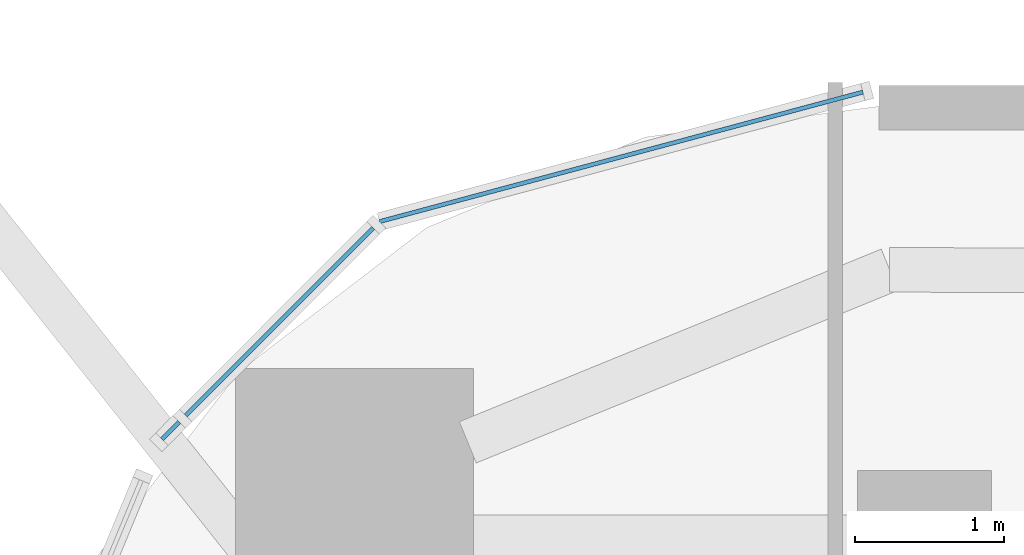
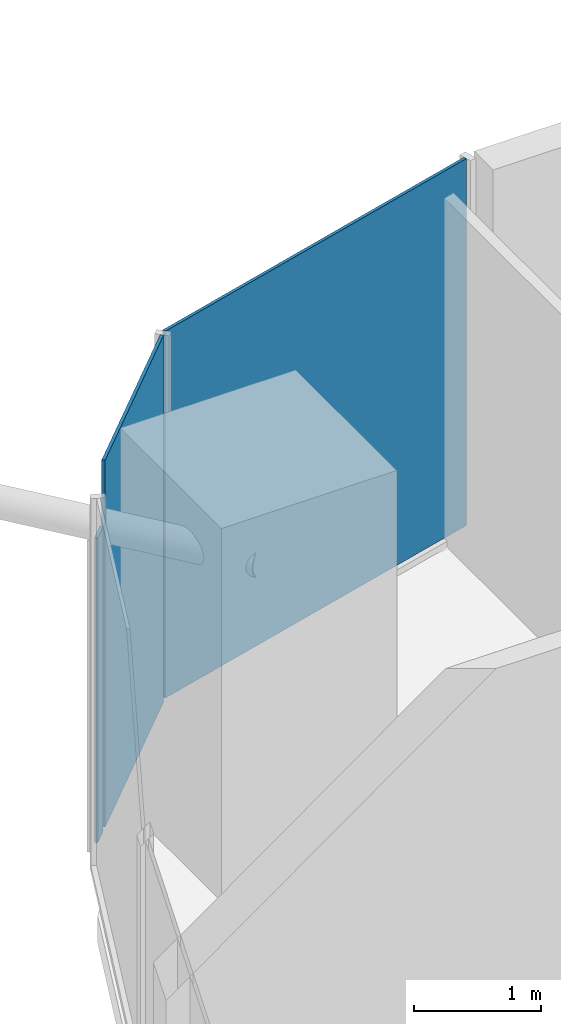
# One storey, part 22 of 33: 3 plates, 3 elements without a shape of their own.
"""IFC4 building model written with IfcOpenShell, lengths in metres."""

from ifc_helpers import new_model, si_unit, direction, frame, origin, origin_2d, place, context, subcontext, project, spatial, rectangle, extrude, material, layer, layer_set, type_object, element, aggregate, save


model = new_model("IFC4")

# Units and contexts
model_context = context("Model", 3, precision=1e-05, world=origin(), true_north=direction((0.0, 1.0)))
body_context = subcontext(model_context, "Body", "Model", "MODEL_VIEW")
ifc_project = project(units=[si_unit("LENGTHUNIT", "METRE"), si_unit("AREAUNIT", "SQUARE_METRE"), si_unit("VOLUMEUNIT", "CUBIC_METRE"), si_unit("PLANEANGLEUNIT", "RADIAN"), si_unit("MASSUNIT", "GRAM", prefix="KILO")], contexts=[model_context])

# Site, building, storey
site_placement = place(None, origin())
site = spatial("IfcSite", under=ifc_project, at=site_placement, CompositionType="ELEMENT")
building_placement = place(site_placement, origin())
building = spatial("IfcBuilding", under=site, at=building_placement, Name="Marenta Gate Hotel Tower", CompositionType="ELEMENT")
storey_placement = place(building_placement, frame((0.0, 0.0, 122.89990234375)))
storey = spatial("IfcBuildingStorey", under=building, at=storey_placement, Name="L27", CompositionType="ELEMENT", Elevation=122.89990234375)

# Curtain wall, plate
ifc_material_1 = material(Name="Tinted insulated glass in bronze anodised frame", Category="glass")
ifc_layer_1 = layer(ifc_material_1, 0.1201171875)
ifc_layer_set_1 = layer_set([ifc_layer_1], Name="Tinted insulated glass in bronze anodised frame")
curtain_wall_type = type_object("IfcCurtainWallType", Name="Tower unitised curtain wall CW1", PredefinedType="NOTDEFINED", material=ifc_layer_set_1)
curtain_wall_1_placement = place(storey_placement, origin())
curtain_wall_1 = element("IfcCurtainWall", 1, at=curtain_wall_1_placement, inside=storey, type_object=curtain_wall_type, Name="CW1 run G00", PredefinedType="NOTDEFINED")
ifc_material_2 = material(Name="Tinted insulated glass", Category="glass")
ifc_layer_2 = layer(ifc_material_2, 0.028076171875)
ifc_layer_set_2 = layer_set([ifc_layer_2], Name="Tinted insulated glass")
plate_type = type_object("IfcPlateType", Name="Glass panel CW1 28 mm tinted insulated unit", PredefinedType="CURTAIN_PANEL", material=ifc_layer_set_2)
plate_1_placement = place(storey_placement, frame((-23.04052734375, 27.759765625, 0.06005859375), z_axis=(0.0, 0.0, 1.0), x_axis=(-0.96593059835, -0.258801234873, 0.0)))
plate_1 = element("IfcPlate", 2, at=plate_1_placement, type_object=plate_type, Name="CW1 panel 1.1", PredefinedType="CURTAIN_PANEL", context=body_context, shape_type="SweptSolid", body=[
    extrude(rectangle(XDim=3.366943359375, YDim=0.028076171875, at=origin_2d()), origin(), (0.0, 0.0, 1.0), 3.5400390625),
])
aggregate(curtain_wall_1, [plate_1])

curtain_wall_2_placement = place(storey_placement, origin())
curtain_wall_2 = element("IfcCurtainWall", 3, at=curtain_wall_2_placement, inside=storey, type_object=curtain_wall_type, Name="CW1 run G01", PredefinedType="NOTDEFINED")
plate_2_placement = place(storey_placement, frame((-25.340087890625, 26.650634765625, 0.06005859375), z_axis=(0.0, 0.0, 1.0), x_axis=(-0.707106781187, -0.707106781187, 0.0)))
plate_2 = element("IfcPlate", 4, at=plate_2_placement, type_object=plate_type, Name="CW1 panel 1.1", PredefinedType="CURTAIN_PANEL", context=body_context, shape_type="SweptSolid", body=[
    extrude(rectangle(XDim=1.784912109375, YDim=0.028076171875, at=origin_2d()), origin(), (0.0, 0.0, 1.0), 3.5400390625),
])
aggregate(curtain_wall_2, [plate_2])

curtain_wall_3_placement = place(storey_placement, origin())
curtain_wall_3 = element("IfcCurtainWall", 5, at=curtain_wall_3_placement, inside=storey, type_object=curtain_wall_type, Name="CW1 run G02", PredefinedType="NOTDEFINED")
plate_3_placement = place(storey_placement, frame((-26.07177734375, 25.9189453125, 0.060302734375), z_axis=(0.0, 0.0, 1.0), x_axis=(-0.707106781187, -0.707106781187, 0.0)))
plate_3 = element("IfcPlate", 6, at=plate_3_placement, type_object=plate_type, Name="CW1 panel 1.1", PredefinedType="CURTAIN_PANEL", context=body_context, shape_type="SweptSolid", body=[
    extrude(rectangle(XDim=0.164306640625, YDim=0.028076171875, at=origin_2d()), origin(), (0.0, 0.0, 1.0), 2.9404296875),
])
aggregate(curtain_wall_3, [plate_3])

save(model, "model.ifc")
